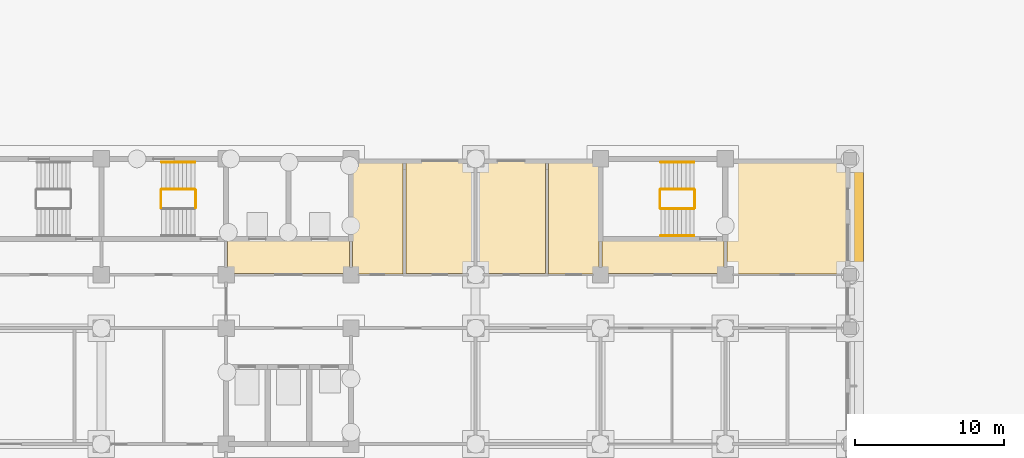
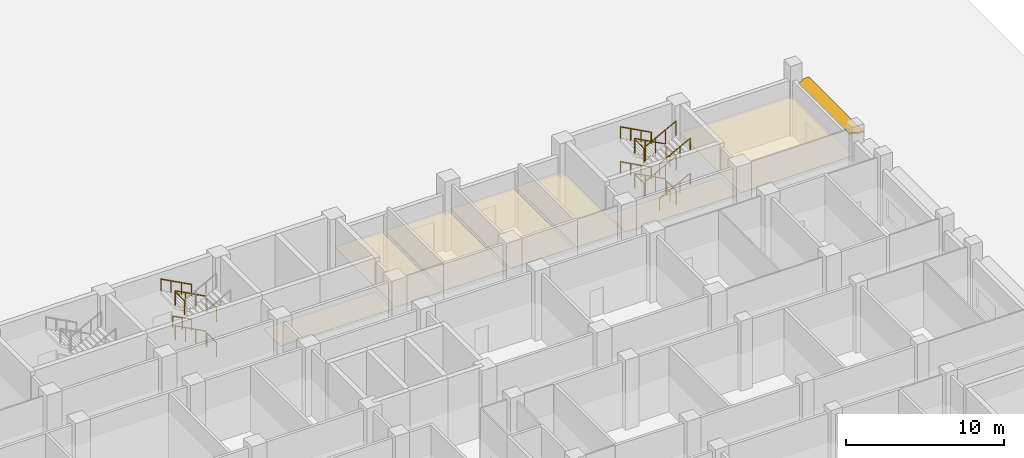
# One storey, part 142 of 146: 19 railings, 7 coverings, 1 shading device.
"""IFC4 building model written with IfcOpenShell, lengths in metres."""

from ifc_helpers import new_model, si_unit, direction, frame, origin, origin_2d, place, context, subcontext, project, spatial, polyline, circle, outline, extrude, material, layer, layer_set, type_object, element, save


model = new_model("IFC4")

# Units and contexts
model_context = context("Model", 3, precision=1e-05, world=origin(), true_north=direction((0.0, 1.0)))
body_context = subcontext(model_context, "Body", "Model", "MODEL_VIEW")
ifc_project = project(units=[si_unit("LENGTHUNIT", "METRE"), si_unit("AREAUNIT", "SQUARE_METRE"), si_unit("VOLUMEUNIT", "CUBIC_METRE"), si_unit("PLANEANGLEUNIT", "RADIAN"), si_unit("MASSUNIT", "GRAM", prefix="KILO")], contexts=[model_context])

# Site, building, storey
site_placement = place(None, origin())
site = spatial("IfcSite", under=ifc_project, at=site_placement, CompositionType="ELEMENT")
building_placement = place(site_placement, origin())
building = spatial("IfcBuilding", under=site, at=building_placement, Name="Bougainvillea Quay General Hospital", CompositionType="ELEMENT")
storey_placement = place(building_placement, origin())
storey = spatial("IfcBuildingStorey", under=building, at=storey_placement, Name="L00", CompositionType="ELEMENT", Elevation=0.0)

# Railings
ifc_material_1 = material(Name="Stainless steel 304 balustrade", Category="steel")
railing_type_1 = type_object("IfcRailingType", Name="Stair guard 1100", PredefinedType="GUARDRAIL", material=ifc_material_1)
railing_1_placement = place(storey_placement, frame((149.10009765625, 157.550048828125, 0.14990234375)))
element("IfcRailing", 1, at=railing_1_placement, inside=storey, type_object=railing_type_1, Name="L00 ST-D3 stair guard 1", PredefinedType="GUARDRAIL", context=body_context, shape_type="SweptSolid", body=[
    extrude(circle(Radius=0.02392578125, at=origin_2d()), frame((0.0, 0.0, 1.076171875), z_axis=(-0.881447119201, 0.0, 0.472282728937), x_axis=(0.0, -1.0, 0.0)), (0.0, 0.0, 1.0), 2.541259765625),
    extrude(circle(Radius=0.02099609375, at=origin_2d()), origin(), (0.0, 0.0, 1.0), 1.052001953125),
    extrude(circle(Radius=0.02099609375, at=origin_2d()), frame((-0.74658203125, 0.0, 0.400146484375)), (0.0, 0.0, 1.0), 1.052001953125),
    extrude(circle(Radius=0.02099609375, at=origin_2d()), frame((-1.493408203125, 0.0, 0.800048828125)), (0.0, 0.0, 1.0), 1.052001953125),
    extrude(circle(Radius=0.02099609375, at=origin_2d()), frame((-2.239990234375, 0.0, 1.2001953125)), (0.0, 0.0, 1.0), 1.052001953125),
])
railing_2_placement = place(storey_placement, frame((149.14990234375, 157.5, 2.699951171875)))
element("IfcRailing", 2, at=railing_2_placement, inside=storey, type_object=railing_type_1, Name="L00 ST-D3 stair guard 4", PredefinedType="GUARDRAIL", context=body_context, shape_type="SweptSolid", body=[
    extrude(circle(Radius=0.02392578125, at=origin_2d()), frame((0.0, 0.0, 1.076171875), z_axis=(0.0, -1.0, 0.0), x_axis=(1.0, 0.0, 0.0)), (0.0, 0.0, 1.0), 1.199951171875),
    extrude(circle(Radius=0.02099609375, at=origin_2d()), origin(), (0.0, 0.0, 1.0), 1.052001953125),
    extrude(circle(Radius=0.02099609375, at=origin_2d()), frame((0.0, -1.199951171875, 0.0)), (0.0, 0.0, 1.0), 1.052001953125),
])
railing_3_placement = place(storey_placement, frame((149.10009765625, 157.550048828125, 2.85009765625)))
element("IfcRailing", 3, at=railing_3_placement, inside=storey, type_object=railing_type_1, Name="L00 ST-D3 stair guard 5", PredefinedType="GUARDRAIL", context=body_context, shape_type="SweptSolid", body=[
    extrude(circle(Radius=0.02392578125, at=origin_2d()), frame((0.0, 0.0, 1.076171875), z_axis=(-0.881487111273, 0.0, 0.472208081951), x_axis=(0.0, -1.0, 0.0)), (0.0, 0.0, 1.0), 2.541259765625),
    extrude(circle(Radius=0.02099609375, at=origin_2d()), origin(), (0.0, 0.0, 1.0), 1.052001953125),
    extrude(circle(Radius=0.02099609375, at=origin_2d()), frame((-0.74658203125, 0.0, 0.39990234375)), (0.0, 0.0, 1.0), 1.052001953125),
    extrude(circle(Radius=0.02099609375, at=origin_2d()), frame((-1.493408203125, 0.0, 0.800048828125)), (0.0, 0.0, 1.0), 1.052001953125),
    extrude(circle(Radius=0.02099609375, at=origin_2d()), frame((-2.239990234375, 0.0, 1.199951171875)), (0.0, 0.0, 1.0), 1.052001953125),
])
for number, where, name in (
    (4, (146.81005859375, 157.5, 4.050048828125), "L00 ST-D3 stair guard 6"),
    (5, (149.14990234375, 157.5, 0.0), "L00 ST-D3 stair guard 8"),
):
    element("IfcRailing", number, at=place(storey_placement, frame(where)), inside=storey, type_object=railing_type_1, Name=name, PredefinedType="GUARDRAIL", context=body_context, shape_type="SweptSolid", body=[
        extrude(circle(Radius=0.02392578125, at=origin_2d()), frame((0.0, 0.0, 1.076171875), z_axis=(0.0, -1.0, 0.0), x_axis=(1.0, 0.0, 0.0)), (0.0, 0.0, 1.0), 1.199951171875),
        extrude(circle(Radius=0.02099609375, at=origin_2d()), origin(), (0.0, 0.0, 1.0), 1.052001953125),
        extrude(circle(Radius=0.02099609375, at=origin_2d()), frame((0.0, -1.199951171875, 0.0)), (0.0, 0.0, 1.0), 1.052001953125),
    ])
railing_4_placement = place(storey_placement, frame((182.699951171875, 157.550048828125, 0.14990234375)))
element("IfcRailing", 6, at=railing_4_placement, inside=storey, type_object=railing_type_1, Name="L00 ST-A4 stair guard 1", PredefinedType="GUARDRAIL", context=body_context, shape_type="SweptSolid", body=[
    extrude(circle(Radius=0.02392578125, at=origin_2d()), frame((0.0, 0.0, 1.076171875), z_axis=(-0.881447119201, 0.0, 0.472282728937), x_axis=(0.0, -1.0, 0.0)), (0.0, 0.0, 1.0), 2.541259765625),
    extrude(circle(Radius=0.02099609375, at=origin_2d()), origin(), (0.0, 0.0, 1.0), 1.052001953125),
    extrude(circle(Radius=0.02099609375, at=origin_2d()), frame((-0.74658203125, 0.0, 0.400146484375)), (0.0, 0.0, 1.0), 1.052001953125),
    extrude(circle(Radius=0.02099609375, at=origin_2d()), frame((-1.493408203125, 0.0, 0.800048828125)), (0.0, 0.0, 1.0), 1.052001953125),
    extrude(circle(Radius=0.02099609375, at=origin_2d()), frame((-2.239990234375, 0.0, 1.2001953125)), (0.0, 0.0, 1.0), 1.052001953125),
])
railing_5_placement = place(storey_placement, frame((180.409912109375, 157.5, 1.35009765625)))
element("IfcRailing", 7, at=railing_5_placement, inside=storey, type_object=railing_type_1, Name="L00 ST-A4 stair guard 2", PredefinedType="GUARDRAIL", context=body_context, shape_type="SweptSolid", body=[
    extrude(circle(Radius=0.02392578125, at=origin_2d()), frame((0.0, 0.0, 1.076171875), z_axis=(0.0, -1.0, 0.0), x_axis=(1.0, 0.0, 0.0)), (0.0, 0.0, 1.0), 1.199951171875),
    extrude(circle(Radius=0.02099609375, at=origin_2d()), origin(), (0.0, 0.0, 1.0), 1.052001953125),
    extrude(circle(Radius=0.02099609375, at=origin_2d()), frame((0.0, -1.199951171875, 0.0)), (0.0, 0.0, 1.0), 1.052001953125),
])
railing_6_placement = place(storey_placement, frame((180.4599609375, 156.25, 1.5)))
element("IfcRailing", 8, at=railing_6_placement, inside=storey, type_object=railing_type_1, Name="L00 ST-A4 stair guard 3", PredefinedType="GUARDRAIL", context=body_context, shape_type="SweptSolid", body=[
    extrude(circle(Radius=0.02392578125, at=origin_2d()), frame((0.0, 0.0, 1.076171875), z_axis=(0.881487111273, 0.0, 0.472208081951), x_axis=(0.0, 1.0, 0.0)), (0.0, 0.0, 1.0), 2.541259765625),
    extrude(circle(Radius=0.02099609375, at=origin_2d()), origin(), (0.0, 0.0, 1.0), 1.052001953125),
    extrude(circle(Radius=0.02099609375, at=origin_2d()), frame((0.74658203125, 0.0, 0.39990234375)), (0.0, 0.0, 1.0), 1.052001953125),
    extrude(circle(Radius=0.02099609375, at=origin_2d()), frame((1.493408203125, 0.0, 0.800048828125)), (0.0, 0.0, 1.0), 1.052001953125),
    extrude(circle(Radius=0.02099609375, at=origin_2d()), frame((2.239990234375, 0.0, 1.199951171875)), (0.0, 0.0, 1.0), 1.052001953125),
])
railing_7_placement = place(storey_placement, frame((182.75, 157.5, 2.699951171875)))
element("IfcRailing", 9, at=railing_7_placement, inside=storey, type_object=railing_type_1, Name="L00 ST-A4 stair guard 4", PredefinedType="GUARDRAIL", context=body_context, shape_type="SweptSolid", body=[
    extrude(circle(Radius=0.02392578125, at=origin_2d()), frame((0.0, 0.0, 1.076171875), z_axis=(0.0, -1.0, 0.0), x_axis=(1.0, 0.0, 0.0)), (0.0, 0.0, 1.0), 1.199951171875),
    extrude(circle(Radius=0.02099609375, at=origin_2d()), origin(), (0.0, 0.0, 1.0), 1.052001953125),
    extrude(circle(Radius=0.02099609375, at=origin_2d()), frame((0.0, -1.199951171875, 0.0)), (0.0, 0.0, 1.0), 1.052001953125),
])
railing_8_placement = place(storey_placement, frame((182.699951171875, 157.550048828125, 2.85009765625)))
element("IfcRailing", 10, at=railing_8_placement, inside=storey, type_object=railing_type_1, Name="L00 ST-A4 stair guard 5", PredefinedType="GUARDRAIL", context=body_context, shape_type="SweptSolid", body=[
    extrude(circle(Radius=0.02392578125, at=origin_2d()), frame((0.0, 0.0, 1.076171875), z_axis=(-0.881487111273, 0.0, 0.472208081951), x_axis=(0.0, -1.0, 0.0)), (0.0, 0.0, 1.0), 2.541259765625),
    extrude(circle(Radius=0.02099609375, at=origin_2d()), origin(), (0.0, 0.0, 1.0), 1.052001953125),
    extrude(circle(Radius=0.02099609375, at=origin_2d()), frame((-0.74658203125, 0.0, 0.39990234375)), (0.0, 0.0, 1.0), 1.052001953125),
    extrude(circle(Radius=0.02099609375, at=origin_2d()), frame((-1.493408203125, 0.0, 0.800048828125)), (0.0, 0.0, 1.0), 1.052001953125),
    extrude(circle(Radius=0.02099609375, at=origin_2d()), frame((-2.239990234375, 0.0, 1.199951171875)), (0.0, 0.0, 1.0), 1.052001953125),
])
railing_9_placement = place(storey_placement, frame((180.409912109375, 157.5, 4.050048828125)))
element("IfcRailing", 11, at=railing_9_placement, inside=storey, type_object=railing_type_1, Name="L00 ST-A4 stair guard 6", PredefinedType="GUARDRAIL", context=body_context, shape_type="SweptSolid", body=[
    extrude(circle(Radius=0.02392578125, at=origin_2d()), frame((0.0, 0.0, 1.076171875), z_axis=(0.0, -1.0, 0.0), x_axis=(1.0, 0.0, 0.0)), (0.0, 0.0, 1.0), 1.199951171875),
    extrude(circle(Radius=0.02099609375, at=origin_2d()), origin(), (0.0, 0.0, 1.0), 1.052001953125),
    extrude(circle(Radius=0.02099609375, at=origin_2d()), frame((0.0, -1.199951171875, 0.0)), (0.0, 0.0, 1.0), 1.052001953125),
])
railing_10_placement = place(storey_placement, frame((180.4599609375, 156.25, 4.199951171875)))
element("IfcRailing", 12, at=railing_10_placement, inside=storey, type_object=railing_type_1, Name="L00 ST-A4 stair guard 7", PredefinedType="GUARDRAIL", context=body_context, shape_type="SweptSolid", body=[
    extrude(circle(Radius=0.02392578125, at=origin_2d()), frame((0.0, 0.0, 1.076171875), z_axis=(0.881487111273, 0.0, 0.472208081951), x_axis=(0.0, 1.0, 0.0)), (0.0, 0.0, 1.0), 2.541259765625),
    extrude(circle(Radius=0.02099609375, at=origin_2d()), origin(), (0.0, 0.0, 1.0), 1.052001953125),
    extrude(circle(Radius=0.02099609375, at=origin_2d()), frame((0.74658203125, 0.0, 0.39990234375)), (0.0, 0.0, 1.0), 1.052001953125),
    extrude(circle(Radius=0.02099609375, at=origin_2d()), frame((1.493408203125, 0.0, 0.800048828125)), (0.0, 0.0, 1.0), 1.052001953125),
    extrude(circle(Radius=0.02099609375, at=origin_2d()), frame((2.239990234375, 0.0, 1.199951171875)), (0.0, 0.0, 1.0), 1.052001953125),
])
railing_11_placement = place(storey_placement, frame((182.75, 157.5, 0.0)))
element("IfcRailing", 13, at=railing_11_placement, inside=storey, type_object=railing_type_1, Name="L00 ST-A4 stair guard 8", PredefinedType="GUARDRAIL", context=body_context, shape_type="SweptSolid", body=[
    extrude(circle(Radius=0.02392578125, at=origin_2d()), frame((0.0, 0.0, 1.076171875), z_axis=(0.0, -1.0, 0.0), x_axis=(1.0, 0.0, 0.0)), (0.0, 0.0, 1.0), 1.199951171875),
    extrude(circle(Radius=0.02099609375, at=origin_2d()), origin(), (0.0, 0.0, 1.0), 1.052001953125),
    extrude(circle(Radius=0.02099609375, at=origin_2d()), frame((0.0, -1.199951171875, 0.0)), (0.0, 0.0, 1.0), 1.052001953125),
])
ifc_material_2 = material(Name="Stainless steel 304 handrail", Category="steel")
railing_type_2 = type_object("IfcRailingType", Name="Stair handrail 900", PredefinedType="HANDRAIL", material=ifc_material_2)
railing_12_placement = place(storey_placement, frame((149.10009765625, 159.375, 2.85009765625)))
element("IfcRailing", 14, at=railing_12_placement, inside=storey, type_object=railing_type_2, Name="L00 ST-D3 stair handrail 3", PredefinedType="HANDRAIL", context=body_context, shape_type="SweptSolid", body=[
    extrude(circle(Radius=0.02392578125, at=origin_2d()), frame((0.0, 0.0, 0.8759765625), z_axis=(-0.881487111273, 0.0, 0.472208081951), x_axis=(0.0, -1.0, 0.0)), (0.0, 0.0, 1.0), 2.541259765625),
    extrude(circle(Radius=0.02099609375, at=origin_2d()), origin(), (0.0, 0.0, 1.0), 0.851806640625),
    extrude(circle(Radius=0.02099609375, at=origin_2d()), frame((-0.74658203125, 0.0, 0.39990234375)), (0.0, 0.0, 1.0), 0.851806640625),
    extrude(circle(Radius=0.02099609375, at=origin_2d()), frame((-1.493408203125, 0.0, 0.800048828125)), (0.0, 0.0, 1.0), 0.851806640625),
    extrude(circle(Radius=0.02099609375, at=origin_2d()), frame((-2.239990234375, 0.0, 1.199951171875)), (0.0, 0.0, 1.0), 0.851806640625),
])
railing_13_placement = place(storey_placement, frame((182.699951171875, 159.375, 0.14990234375)))
element("IfcRailing", 15, at=railing_13_placement, inside=storey, type_object=railing_type_2, Name="L00 ST-A4 stair handrail 1", PredefinedType="HANDRAIL", context=body_context, shape_type="SweptSolid", body=[
    extrude(circle(Radius=0.02392578125, at=origin_2d()), frame((0.0, 0.0, 0.8759765625), z_axis=(-0.881447119201, 0.0, 0.472282728937), x_axis=(0.0, -1.0, 0.0)), (0.0, 0.0, 1.0), 2.541259765625),
    extrude(circle(Radius=0.02099609375, at=origin_2d()), origin(), (0.0, 0.0, 1.0), 0.851806640625),
    extrude(circle(Radius=0.02099609375, at=origin_2d()), frame((-0.74658203125, 0.0, 0.400146484375)), (0.0, 0.0, 1.0), 0.851806640625),
    extrude(circle(Radius=0.02099609375, at=origin_2d()), frame((-1.493408203125, 0.0, 0.800048828125)), (0.0, 0.0, 1.0), 0.851806640625),
    extrude(circle(Radius=0.02099609375, at=origin_2d()), frame((-2.239990234375, 0.0, 1.2001953125)), (0.0, 0.0, 1.0), 0.851806640625),
])
railing_14_placement = place(storey_placement, frame((180.4599609375, 154.425048828125, 1.5)))
element("IfcRailing", 16, at=railing_14_placement, inside=storey, type_object=railing_type_2, Name="L00 ST-A4 stair handrail 2", PredefinedType="HANDRAIL", context=body_context, shape_type="SweptSolid", body=[
    extrude(circle(Radius=0.02392578125, at=origin_2d()), frame((0.0, 0.0, 0.8759765625), z_axis=(0.881487111273, 0.0, 0.472208081951), x_axis=(0.0, 1.0, 0.0)), (0.0, 0.0, 1.0), 2.541259765625),
    extrude(circle(Radius=0.02099609375, at=origin_2d()), origin(), (0.0, 0.0, 1.0), 0.851806640625),
    extrude(circle(Radius=0.02099609375, at=origin_2d()), frame((0.74658203125, 0.0, 0.39990234375)), (0.0, 0.0, 1.0), 0.851806640625),
    extrude(circle(Radius=0.02099609375, at=origin_2d()), frame((1.493408203125, 0.0, 0.800048828125)), (0.0, 0.0, 1.0), 0.851806640625),
    extrude(circle(Radius=0.02099609375, at=origin_2d()), frame((2.239990234375, 0.0, 1.199951171875)), (0.0, 0.0, 1.0), 0.851806640625),
])
railing_15_placement = place(storey_placement, frame((182.699951171875, 159.375, 2.85009765625)))
element("IfcRailing", 17, at=railing_15_placement, inside=storey, type_object=railing_type_2, Name="L00 ST-A4 stair handrail 3", PredefinedType="HANDRAIL", context=body_context, shape_type="SweptSolid", body=[
    extrude(circle(Radius=0.02392578125, at=origin_2d()), frame((0.0, 0.0, 0.8759765625), z_axis=(-0.881487111273, 0.0, 0.472208081951), x_axis=(0.0, -1.0, 0.0)), (0.0, 0.0, 1.0), 2.541259765625),
    extrude(circle(Radius=0.02099609375, at=origin_2d()), origin(), (0.0, 0.0, 1.0), 0.851806640625),
    extrude(circle(Radius=0.02099609375, at=origin_2d()), frame((-0.74658203125, 0.0, 0.39990234375)), (0.0, 0.0, 1.0), 0.851806640625),
    extrude(circle(Radius=0.02099609375, at=origin_2d()), frame((-1.493408203125, 0.0, 0.800048828125)), (0.0, 0.0, 1.0), 0.851806640625),
    extrude(circle(Radius=0.02099609375, at=origin_2d()), frame((-2.239990234375, 0.0, 1.199951171875)), (0.0, 0.0, 1.0), 0.851806640625),
])
railing_16_placement = place(storey_placement, frame((180.4599609375, 154.425048828125, 4.199951171875)))
element("IfcRailing", 18, at=railing_16_placement, inside=storey, type_object=railing_type_2, Name="L00 ST-A4 stair handrail 4", PredefinedType="HANDRAIL", context=body_context, shape_type="SweptSolid", body=[
    extrude(circle(Radius=0.02392578125, at=origin_2d()), frame((0.0, 0.0, 0.8759765625), z_axis=(0.881487111273, 0.0, 0.472208081951), x_axis=(0.0, 1.0, 0.0)), (0.0, 0.0, 1.0), 2.541259765625),
    extrude(circle(Radius=0.02099609375, at=origin_2d()), origin(), (0.0, 0.0, 1.0), 0.851806640625),
    extrude(circle(Radius=0.02099609375, at=origin_2d()), frame((0.74658203125, 0.0, 0.39990234375)), (0.0, 0.0, 1.0), 0.851806640625),
    extrude(circle(Radius=0.02099609375, at=origin_2d()), frame((1.493408203125, 0.0, 0.800048828125)), (0.0, 0.0, 1.0), 0.851806640625),
    extrude(circle(Radius=0.02099609375, at=origin_2d()), frame((2.239990234375, 0.0, 1.199951171875)), (0.0, 0.0, 1.0), 0.851806640625),
])
railing_17_placement = place(storey_placement, frame((149.10009765625, 159.375, 0.14990234375)))
element("IfcRailing", 19, at=railing_17_placement, inside=storey, type_object=railing_type_2, Name="L00 ST-D3 stair handrail 1", PredefinedType="HANDRAIL", context=body_context, shape_type="SweptSolid", body=[
    extrude(circle(Radius=0.02392578125, at=origin_2d()), frame((0.0, 0.0, 0.8759765625), z_axis=(-0.881442608166, 0.0, 0.472291148032), x_axis=(0.0, -1.0, 0.0)), (0.0, 0.0, 1.0), 1.554443359375),
    extrude(circle(Radius=0.02099609375, at=origin_2d()), origin(), (0.0, 0.0, 1.0), 0.851806640625),
    extrude(circle(Radius=0.02099609375, at=origin_2d()), frame((-0.68505859375, 0.0, 0.3671875)), (0.0, 0.0, 1.0), 0.851806640625),
    extrude(circle(Radius=0.02099609375, at=origin_2d()), frame((-1.3701171875, 0.0, 0.734130859375)), (0.0, 0.0, 1.0), 0.851806640625),
])

# Shading device
ifc_material_3 = material(Name="Powder-coated aluminium canopy soffit and fascia, white", Category="aluminium")
ifc_layer_1 = layer(ifc_material_3, 0.10009765625)
ifc_layer_set_1 = layer_set([ifc_layer_1], Name="Powder-coated aluminium canopy soffit and fascia, white")
shading_device_type = type_object("IfcShadingDeviceType", Name="Sunshade 100", PredefinedType="USERDEFINED", material=ifc_layer_set_1)
shading_device_placement = place(storey_placement, frame((0.0, 0.0, 4.050048828125)))
element("IfcShadingDevice", 20, at=shading_device_placement, inside=storey, type_object=shading_device_type, Name="Sunshade 0", ObjectType="Sunshade", PredefinedType="USERDEFINED", context=body_context, shape_type="SweptSolid", body=[
    extrude(outline(polyline([(193.199951171875, 158.925048828125), (193.199951171875, 152.47509765625), (193.331787109375, 152.4619140625), (193.458251953125, 152.423583984375), (193.574951171875, 152.361328125), (193.628173828125, 152.32177734375), (193.7021484375, 152.25), (194.10009765625, 152.25), (194.10009765625, 159.14990234375), (193.7021484375, 159.14990234375), (193.628173828125, 159.078125), (193.574951171875, 159.038818359375), (193.458251953125, 158.976318359375), (193.331787109375, 158.93798828125), (193.199951171875, 158.925048828125)])), origin(), (0.0, 0.0, 1.0), 0.099853515625),
])

# Coverings
ifc_material_4 = material(Name="Mineral fibre ceiling tile")
ifc_layer_2 = layer(ifc_material_4, 0.030029296875)
ifc_layer_set_2 = layer_set([ifc_layer_2], Name="Mineral fibre ceiling tile")
covering_type = type_object("IfcCoveringType", Name="Suspended ceiling mineral fibre tile", PredefinedType="CEILING", material=ifc_layer_set_2)
covering_1_placement = place(storey_placement, frame((0.0, 0.0, 2.699951171875)))
element("IfcCovering", 21, at=covering_1_placement, inside=storey, type_object=covering_type, Name="Ceiling Lift Lobby LB-S1", PredefinedType="CEILING", context=body_context, shape_type="SweptSolid", body=[
    extrude(outline(polyline([(151.300048828125, 154.10009765625), (151.300048828125, 151.89990234375), (159.5, 151.89990234375), (159.5, 154.10009765625), (151.300048828125, 154.10009765625)])), origin(), (0.0, 0.0, 1.0), 0.030029296875),
])
covering_2_placement = place(storey_placement, frame((0.0, 0.0, 2.699951171875)))
element("IfcCovering", 22, at=covering_2_placement, inside=storey, type_object=covering_type, Name="Ceiling Smoke-proof Stair Vestibule ST-A4", PredefinedType="CEILING", context=body_context, shape_type="SweptSolid", body=[
    extrude(outline(polyline([(184.699951171875, 151.89990234375), (184.699951171875, 154.10009765625), (176.5, 154.10009765625), (176.5, 151.89990234375), (184.699951171875, 151.89990234375)])), origin(), (0.0, 0.0, 1.0), 0.030029296875),
])
covering_3_placement = place(storey_placement, frame((0.0, 0.0, 2.800048828125)))
element("IfcCovering", 23, at=covering_3_placement, inside=storey, type_object=covering_type, Name="Ceiling Mortuary Staff Changing Room", PredefinedType="CEILING", context=body_context, shape_type="SweptSolid", body=[
    extrude(outline(polyline([(159.699951171875, 154.300048828125), (159.699951171875, 151.85009765625), (163.10009765625, 151.85009765625), (163.10009765625, 159.552001953125), (159.64990234375, 159.552001953125), (159.64990234375, 154.300048828125), (159.699951171875, 154.300048828125)])), origin(), (0.0, 0.0, 1.0), 0.030029296875),
])
covering_4_placement = place(storey_placement, frame((0.0, 0.0, 2.800048828125)))
element("IfcCovering", 24, at=covering_4_placement, inside=storey, type_object=covering_type, Name="Ceiling General Waste Compactor Room", PredefinedType="CEILING", context=body_context, shape_type="SweptSolid", body=[
    extrude(outline(polyline([(167.89990234375, 151.89990234375), (167.89990234375, 159.501953125), (163.300048828125, 159.501953125), (163.300048828125, 151.89990234375), (167.89990234375, 151.89990234375)])), origin(), (0.0, 0.0, 1.0), 0.030029296875),
])
covering_5_placement = place(storey_placement, frame((0.0, 0.0, 2.800048828125)))
element("IfcCovering", 25, at=covering_5_placement, inside=storey, type_object=covering_type, Name="Ceiling Waste Segregation Room", PredefinedType="CEILING", context=body_context, shape_type="SweptSolid", body=[
    extrude(outline(polyline([(172.699951171875, 151.89990234375), (172.699951171875, 159.501953125), (168.10009765625, 159.501953125), (168.10009765625, 151.89990234375), (172.699951171875, 151.89990234375)])), origin(), (0.0, 0.0, 1.0), 0.030029296875),
])
covering_6_placement = place(storey_placement, frame((0.0, 0.0, 2.800048828125)))
element("IfcCovering", 26, at=covering_6_placement, inside=storey, type_object=covering_type, Name="Ceiling Mortuary Accessible WC", PredefinedType="CEILING", context=body_context, shape_type="SweptSolid", body=[
    extrude(outline(polyline([(176.35009765625, 154.300048828125), (176.35009765625, 159.552001953125), (172.89990234375, 159.552001953125), (172.89990234375, 151.85009765625), (176.300048828125, 151.85009765625), (176.300048828125, 154.300048828125), (176.35009765625, 154.300048828125)])), origin(), (0.0, 0.0, 1.0), 0.030029296875),
])
covering_7_placement = place(storey_placement, frame((0.0, 0.0, 2.800048828125)))
element("IfcCovering", 27, at=covering_7_placement, inside=storey, type_object=covering_type, Name="Ceiling Mortuary Reception", PredefinedType="CEILING", context=body_context, shape_type="SweptSolid", body=[
    extrude(outline(polyline([(193.14990234375, 151.85009765625), (193.14990234375, 159.552001953125), (184.85009765625, 159.552001953125), (184.85009765625, 154.300048828125), (184.89990234375, 154.300048828125), (184.89990234375, 151.85009765625), (193.14990234375, 151.85009765625)])), origin(), (0.0, 0.0, 1.0), 0.030029296875),
])

save(model, "model.ifc")
